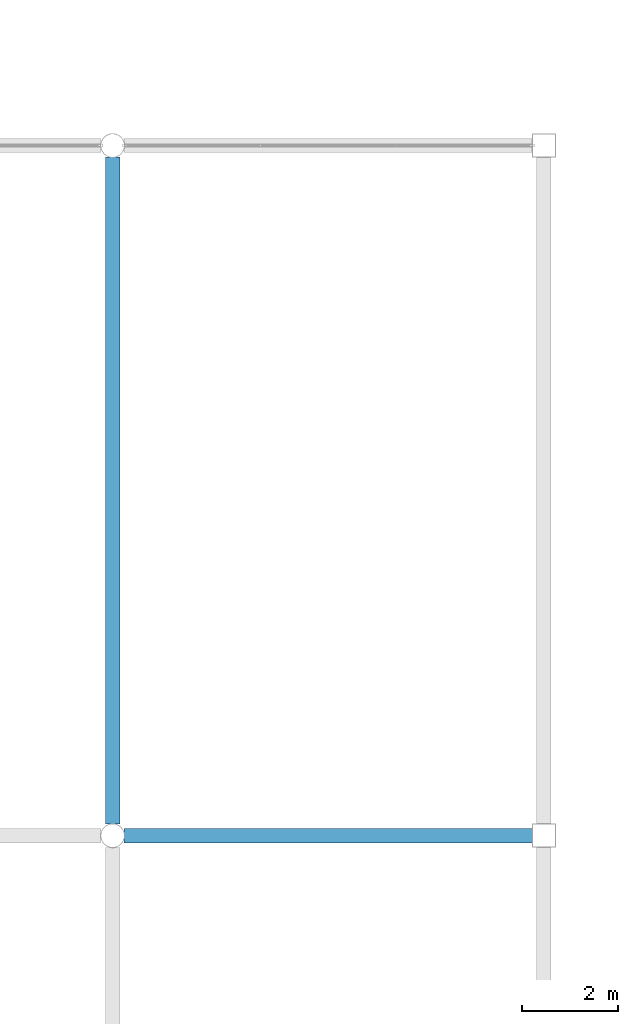
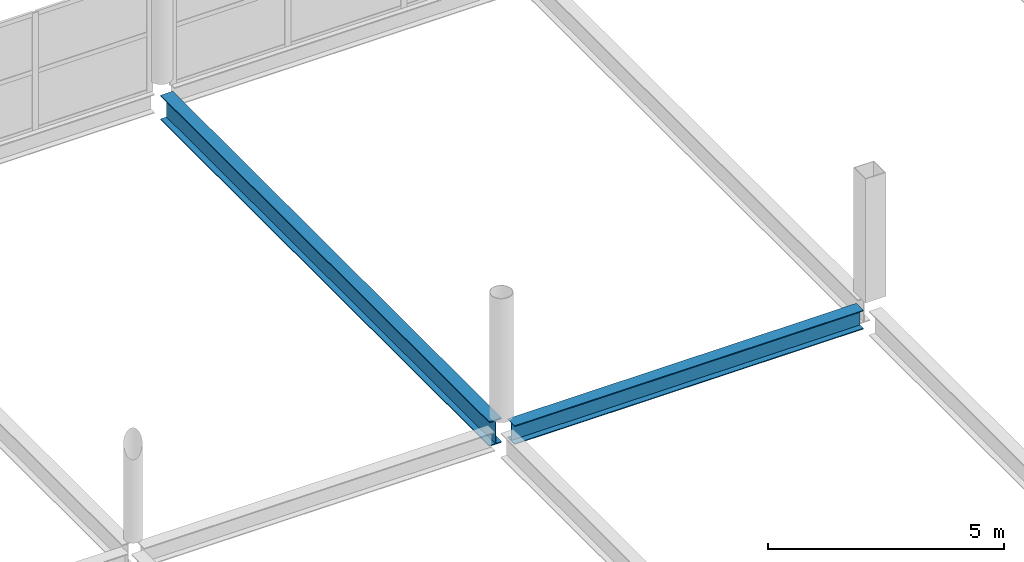
# One storey, part 47 of 134: 2 beams.
"""IFC4 building model written with IfcOpenShell, lengths in metres."""

import ifcopenshell
import ifcopenshell.guid

model = None  # the IFC model being written
_history = None  # IfcOwnerHistory: only IFC2X3 demands one
_inside = {}  # id of a spatial element -> (the spatial element, [elements in it])
_under = {}  # id of a project, library or spatial element -> (it, [spatial elements below it])
_declared = {}  # id of a project -> (the project, [libraries it declares])
_typed = {}  # id of a type object -> (the type object, [elements of that type])
_made_of = {}  # id of a material, layer set ... -> (it, [elements and type objects made of it])


def new_model(schema):
    """Start an empty IFC model of exactly this schema.

    Asked for "IFC4X3", IfcOpenShell would pick the latest addendum, in which some entities
    have other attributes; the version numbers below select the first issue.
    IFC2X3 requires an IfcOwnerHistory on every rooted entity: one is made here for all.
    """
    global model, _history
    if schema == "IFC4X3":
        model = ifcopenshell.file(schema_version=(4, 3, 0, 0))
    else:
        model = ifcopenshell.file(schema=schema)
    _inside.clear()
    _under.clear()
    _declared.clear()
    _typed.clear()
    _made_of.clear()
    _history = None
    if model.schema == "IFC2X3":
        org = make("IfcOrganization", Name="unknown")
        user = make(
            "IfcPersonAndOrganization",
            ThePerson=make("IfcPerson", FamilyName="unknown"),
            TheOrganization=org,
        )
        app = make(
            "IfcApplication",
            ApplicationDeveloper=org,
            Version="unknown",
            ApplicationFullName="unknown",
            ApplicationIdentifier="unknown",
        )
        _history = make(
            "IfcOwnerHistory",
            OwningUser=user,
            OwningApplication=app,
            ChangeAction="ADDED",
            CreationDate=0,
        )
    return model


def make(cls, **values):
    """One entity of the class cls with the attributes given. An attribute that is None is left unset."""
    return model.create_entity(
        cls, **{name: value for name, value in values.items() if value is not None}
    )


def rooted(cls, **values):
    """An entity with a GlobalId (a new one), such as an element, a storey or a relation."""
    return make(cls, GlobalId=ifcopenshell.guid.new(), OwnerHistory=_history, **values)


def si_unit(unit_type, name, prefix=None):
    """IfcSIUnit, for example si_unit("LENGTHUNIT", "METRE", prefix="MILLI")."""
    return make("IfcSIUnit", UnitType=unit_type, Prefix=prefix, Name=name)


def assignment(units):
    """IfcUnitAssignment: the units of a project."""
    return None if units is None else make("IfcUnitAssignment", Units=units)


def point(xyz):
    """IfcCartesianPoint."""
    return None if xyz is None else make("IfcCartesianPoint", Coordinates=xyz)


def direction(xyz):
    """IfcDirection."""
    return None if xyz is None else make("IfcDirection", DirectionRatios=xyz)


def frame(location, z_axis=None, x_axis=None):
    """IfcAxis2Placement3D, a coordinate frame: its origin and axes. An axis left out is left unset."""
    return make(
        "IfcAxis2Placement3D",
        Location=point(location),
        Axis=direction(z_axis),
        RefDirection=direction(x_axis),
    )


def frame_2d(location, x_axis=None):
    """IfcAxis2Placement2D, a coordinate frame in the plane: its origin and x axis."""
    return make(
        "IfcAxis2Placement2D", Location=point(location), RefDirection=direction(x_axis)
    )


def origin():
    """The frame at (0, 0, 0) with its axes left unset."""
    return frame((0.0, 0.0, 0.0))


def origin_2d():
    """The frame at (0, 0) in the plane with its x axis left unset."""
    return frame_2d((0.0, 0.0))


def place(relative_to, where):
    """IfcLocalPlacement: puts the frame where relative to a parent placement (None: the world)."""
    return make(
        "IfcLocalPlacement", PlacementRelTo=relative_to, RelativePlacement=where
    )


def context(
    kind, dimensions, precision=None, world=None, true_north=None, identifier=None
):
    """IfcGeometricRepresentationContext, for example the 3D "Model" context."""
    return make(
        "IfcGeometricRepresentationContext",
        ContextIdentifier=identifier,
        ContextType=kind,
        CoordinateSpaceDimension=dimensions,
        Precision=precision,
        WorldCoordinateSystem=world,
        TrueNorth=true_north,
    )


def subcontext(parent, identifier, kind, view, scale=None):
    """IfcGeometricRepresentationSubContext, for example "Body" below "Model"."""
    return make(
        "IfcGeometricRepresentationSubContext",
        ContextIdentifier=identifier,
        ContextType=kind,
        ParentContext=parent,
        TargetScale=scale,
        TargetView=view,
    )


def project(units=None, contexts=None):
    """IfcProject with its units and contexts."""
    return rooted(
        "IfcProject",
        Name="project",
        RepresentationContexts=contexts,
        UnitsInContext=assignment(units),
    )


def spatial(cls, under=None, at=None, **own):
    """A site, building, storey or space (cls), placed at a placement, below another one or the project."""
    s = rooted(cls, ObjectPlacement=at, **own)
    if under is not None:
        _under.setdefault(under.id(), (under, []))[1].append(s)
    return s


def profile(cls, at=None, kind="AREA", **sizes):
    """A parametric profile (cls). Its sizes go by their IFC names, for example OverallWidth=200.0."""
    return make(cls, ProfileType=kind, Position=at, **sizes)


def i_section(**sizes):
    """IfcIShapeProfileDef."""
    return profile("IfcIShapeProfileDef", **sizes)


def extrude(swept, where, along, depth):
    """IfcExtrudedAreaSolid: the profile swept, set in the frame where, extruded along a direction by depth."""
    return make(
        "IfcExtrudedAreaSolid",
        SweptArea=swept,
        Position=where,
        ExtrudedDirection=direction(along),
        Depth=depth,
    )


def shape(context_of_items, identifier, shape_type, items):
    """IfcShapeRepresentation: the items that make up one representation, for example the "Body"."""
    return make(
        "IfcShapeRepresentation",
        ContextOfItems=context_of_items,
        RepresentationIdentifier=identifier,
        RepresentationType=shape_type,
        Items=items,
    )


def material(Name=None, Category=None):
    """IfcMaterial."""
    return make("IfcMaterial", Name=Name, Category=Category)


def material_profile(
    of_material, cross_section, Name=None, Category=None, Priority=None
):
    """IfcMaterialProfile: a cross section and its material."""
    return make(
        "IfcMaterialProfile",
        Name=Name,
        Material=of_material,
        Profile=cross_section,
        Priority=Priority,
        Category=Category,
    )


def profile_set(profiles, Name=None, composite=None):
    """IfcMaterialProfileSet."""
    return make(
        "IfcMaterialProfileSet",
        Name=Name,
        MaterialProfiles=profiles,
        CompositeProfile=composite,
    )


def made_of(thing, what):
    """Note that an element or type object is made of a material, layer set ...; save() writes the relation."""
    if what is not None:
        _made_of.setdefault(what.id(), (what, []))[1].append(thing)
    return thing


def type_object(cls, material=None, **own):
    """A type object (cls), such as IfcWallType, which elements share."""
    return made_of(rooted(cls, **own), material)


def element(
    cls,
    number,
    at=None,
    inside=None,
    cuts=None,
    type_object=None,
    material=None,
    context=None,
    identifier="Body",
    shape_type=None,
    held_by="IfcProductDefinitionShape",
    body=None,
    shapes=None,
    **own,
):
    """One element of the class cls, such as IfcWall. Its Tag is "e" and its number.

    at: its placement. inside: the storey or other place that contains it. cuts: it is an
    opening in that element (IfcRelVoidsElement). A single representation is given by context,
    identifier, shape_type and body (its items); several are given by shapes. held_by: the class
    of the entity that holds the representations. save() writes the other relations.
    """
    e = rooted(cls, Tag="e%d" % number, ObjectPlacement=at, **own)
    if body is not None:
        shapes = [shape(context, identifier, shape_type, body)]
    if shapes is not None:
        e.Representation = make(held_by, Representations=shapes)
    if inside is not None:
        _inside.setdefault(inside.id(), (inside, []))[1].append(e)
    if cuts is not None:
        rooted(
            "IfcRelVoidsElement", RelatingBuildingElement=cuts, RelatedOpeningElement=e
        )
    if type_object is not None:
        _typed.setdefault(type_object.id(), (type_object, []))[1].append(e)
    return made_of(e, material)


def aggregate(whole, parts):
    """IfcRelAggregates: a whole, such as a stair, and the parts it consists of."""
    return rooted("IfcRelAggregates", RelatingObject=whole, RelatedObjects=parts)


def save(model, path):
    """Write the relations noted so far, then the file.

    IfcRelAggregates (storeys below a building ...), IfcRelContainedInSpatialStructure (elements
    in a storey), IfcRelDefinesByType, IfcRelAssociatesMaterial and IfcRelDeclares: one each for
    every whole, place, type object, material and project.
    """
    for whole, parts in _under.values():
        aggregate(whole, parts)
    for where, things in _inside.values():
        rooted(
            "IfcRelContainedInSpatialStructure",
            RelatedElements=things,
            RelatingStructure=where,
        )
    for kind, things in _typed.values():
        rooted("IfcRelDefinesByType", RelatedObjects=things, RelatingType=kind)
    for what, things in _made_of.values():
        rooted("IfcRelAssociatesMaterial", RelatedObjects=things, RelatingMaterial=what)
    for by, libraries in _declared.values():
        rooted("IfcRelDeclares", RelatingContext=by, RelatedDefinitions=libraries)
    model.write(path)


model = new_model("IFC4")

# Units and contexts
model_context = context("Model", 3, precision=1e-05, world=origin(), true_north=direction((0.0, 1.0)))
body_context = subcontext(model_context, "Body", "Model", "MODEL_VIEW")
ifc_project = project(units=[si_unit("LENGTHUNIT", "METRE"), si_unit("AREAUNIT", "SQUARE_METRE"), si_unit("VOLUMEUNIT", "CUBIC_METRE"), si_unit("PLANEANGLEUNIT", "RADIAN"), si_unit("MASSUNIT", "GRAM", prefix="KILO")], contexts=[model_context])

# Site, building, storey
site_placement = place(None, origin())
site = spatial("IfcSite", under=ifc_project, at=site_placement, CompositionType="ELEMENT")
building_placement = place(site_placement, origin())
building = spatial("IfcBuilding", under=site, at=building_placement, Name="Tamarisk Ironworks Central Station", CompositionType="ELEMENT")
storey_placement = place(building_placement, frame((0.0, 0.0, 12.60009765625)))
storey = spatial("IfcBuildingStorey", under=building, at=storey_placement, Name="L02", CompositionType="ELEMENT", Elevation=12.60009765625)

# Beams
ifc_material = material(Name="Structural steel S355J2", Category="steel")
ifc_material_profile_1 = material_profile(ifc_material, i_section(OverallWidth=0.300048828125, OverallDepth=0.639892578125, WebThickness=0.013427734375, FlangeThickness=0.02587890625, at=origin_2d()), Name="HEA 650")
ifc_profile_set_1 = profile_set([ifc_material_profile_1], Name="Structural steel S355J2")
beam_type_1 = type_object("IfcBeamType", Name="BM-G02", PredefinedType="BEAM", material=ifc_profile_set_1)
beam_1_placement = place(storey_placement, frame((36.0, 65.0419921875, -0.570068359375), z_axis=(0.0, 1.0, 0.0), x_axis=(-1.0, 0.0, 0.0)))
element("IfcBeam", 1, at=beam_1_placement, inside=storey, type_object=beam_type_1, Name="L02 primary girder Y-0445", PredefinedType="BEAM", context=body_context, shape_type="SweptSolid", body=[
    extrude(i_section(OverallWidth=0.300048828125, OverallDepth=0.639892578125, WebThickness=0.013427734375, FlangeThickness=0.02587890625, at=origin_2d()), origin(), (0.0, 0.0, 1.0), 13.916015625),
])
ifc_material_profile_2 = material_profile(ifc_material, i_section(OverallWidth=0.300048828125, OverallDepth=0.489990234375, WebThickness=0.011962890625, FlangeThickness=0.02294921875, at=origin_2d()), Name="HEA 500")
ifc_profile_set_2 = profile_set([ifc_material_profile_2], Name="Structural steel S355J2")
beam_type_2 = type_object("IfcBeamType", Name="BM-G05", PredefinedType="BEAM", material=ifc_profile_set_2)
beam_2_placement = place(storey_placement, frame((36.241943359375, 64.800048828125, -0.4951171875), z_axis=(1.0, 0.0, 0.0), x_axis=(0.0, 1.0, 0.0)))
element("IfcBeam", 2, at=beam_2_placement, inside=storey, type_object=beam_type_2, Name="L02 primary girder X-0347", PredefinedType="BEAM", context=body_context, shape_type="SweptSolid", body=[
    extrude(i_section(OverallWidth=0.300048828125, OverallDepth=0.489990234375, WebThickness=0.011962890625, FlangeThickness=0.02294921875, at=origin_2d()), origin(), (0.0, 0.0, 1.0), 8.52001953125),
])

save(model, "model.ifc")
